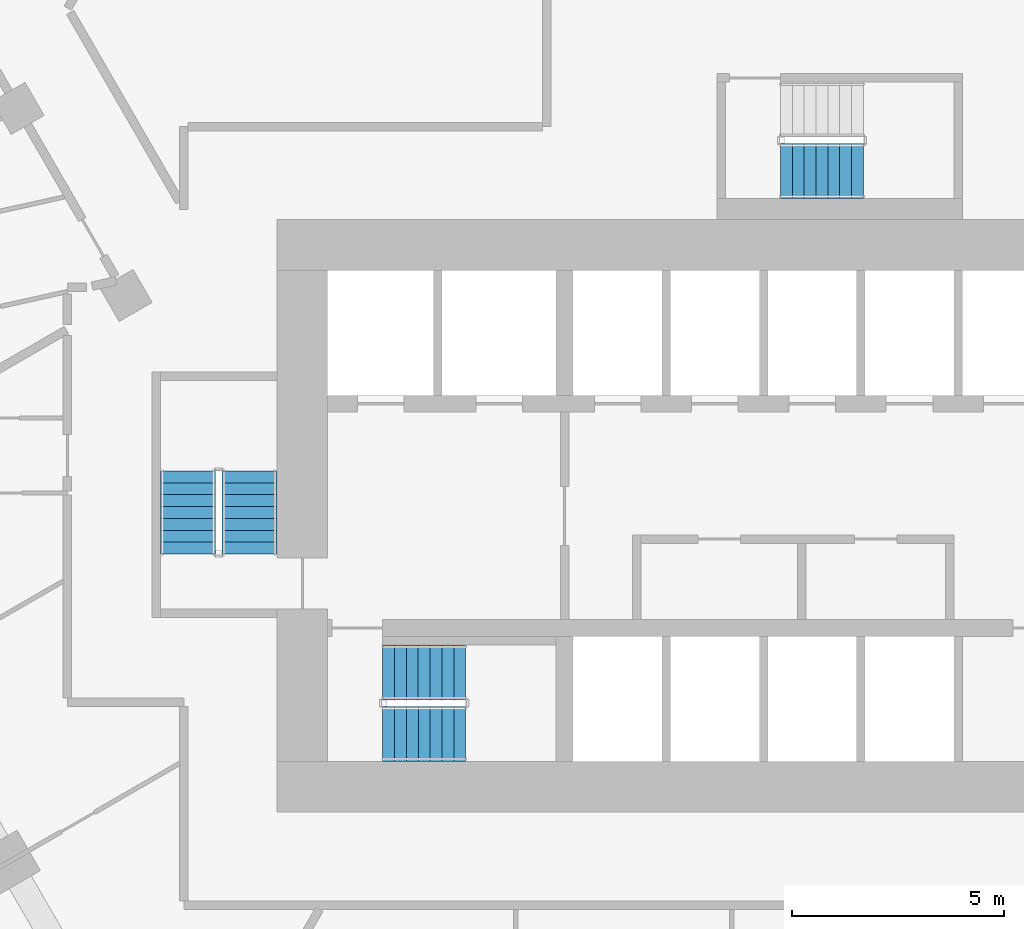
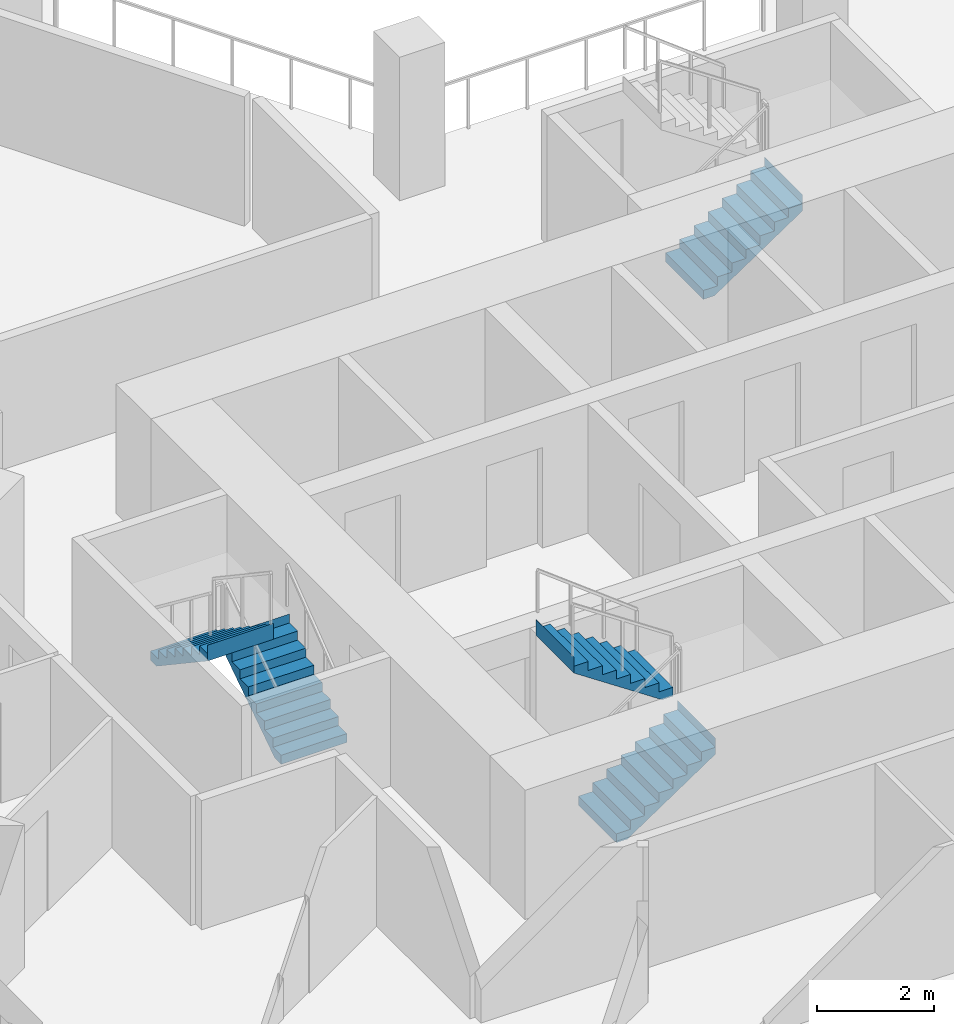
# One storey, part 11 of 16: 5 stair flights, 3 elements without a shape of their own.
"""IFC4 building model written with IfcOpenShell, lengths in metres."""

from ifc_helpers import new_model, si_unit, direction, frame, origin, place, context, subcontext, project, spatial, triangles, material, type_object, element, aggregate, save


model = new_model("IFC4")

# Units and contexts
model_context = context("Model", 3, precision=1e-05, world=origin(), true_north=direction((0.0, 1.0)))
body_context = subcontext(model_context, "Body", "Model", "MODEL_VIEW")
ifc_project = project(units=[si_unit("LENGTHUNIT", "METRE"), si_unit("AREAUNIT", "SQUARE_METRE"), si_unit("VOLUMEUNIT", "CUBIC_METRE"), si_unit("PLANEANGLEUNIT", "RADIAN"), si_unit("MASSUNIT", "GRAM", prefix="KILO")], contexts=[model_context])

# Site, building, storey
site_placement = place(None, origin())
site = spatial("IfcSite", under=ifc_project, at=site_placement, CompositionType="ELEMENT")
building_placement = place(site_placement, origin())
building = spatial("IfcBuilding", under=site, at=building_placement, Name="Beryl Residences", CompositionType="ELEMENT")
storey_placement = place(building_placement, frame((0.0, 0.0, 38.39990234375)))
storey = spatial("IfcBuildingStorey", under=building, at=storey_placement, Name="L11", CompositionType="ELEMENT", Elevation=38.39990234375)

# Stair, stair flights
ifc_material_1 = material(Name="Concrete C40/50", Category="concrete")
stair_type = type_object("IfcStairType", Name="ST1 protected exit stair, half-turn, 1300 mm flights", PredefinedType="HALF_TURN_STAIR", material=ifc_material_1)
stair_1_placement = place(storey_placement, origin())
stair_1 = element("IfcStair", 1, at=stair_1_placement, inside=storey, type_object=stair_type, Name="L11 PROTECTED EXIT STAIR ST-1", PredefinedType="HALF_TURN_STAIR")
ifc_material_2 = material(Name="Concrete C40/50", Category="concrete")
stair_flight_type = type_object("IfcStairFlightType", Name="SF1 stair flight 1300 mm", PredefinedType="STRAIGHT", material=ifc_material_2)
stair_flight_1_placement = place(storey_placement, frame((-10.800048828125, -17.14990234375, 0.0), z_axis=(0.0, 0.0, 1.0), x_axis=(1.0, 0.0, 0.0)))
stair_flight_1 = element("IfcStairFlight", 2, at=stair_flight_1_placement, type_object=stair_flight_type, Name="ST-1 flight 1", NumberOfRisers=8, NumberOfTreads=7, PredefinedType="STRAIGHT", RiserHeight=0.1875, TreadLength=0.28, context=body_context, shape_type="Tessellation", body=[
    triangles([(0.0, -0.64990234375, 0.0), (0.0, -0.324951171875, 0.0), (0.0, 0.0, 0.0), (0.0, 0.324951171875, 0.0), (0.0, 0.64990234375, 0.0), (0.0, -0.64990234375, 0.1875), (0.0, -0.324951171875, 0.1875), (0.0, 0.0, 0.1875), (0.0, 0.324951171875, 0.1875), (0.0, 0.64990234375, 0.1875), (0.280029296875, -0.64990234375, 0.1875), (0.280029296875, -0.324951171875, 0.1875), (0.280029296875, 0.0, 0.1875), (0.280029296875, 0.324951171875, 0.1875), (0.280029296875, 0.64990234375, 0.1875), (0.280029296875, -0.64990234375, 0.375), (0.280029296875, -0.324951171875, 0.375), (0.280029296875, 0.0, 0.375), (0.280029296875, 0.324951171875, 0.375), (0.280029296875, 0.64990234375, 0.375), (0.56005859375, -0.64990234375, 0.375), (0.56005859375, -0.324951171875, 0.375), (0.56005859375, 0.0, 0.375), (0.56005859375, 0.324951171875, 0.375), (0.56005859375, 0.64990234375, 0.375), (0.56005859375, -0.64990234375, 0.5625), (0.56005859375, -0.324951171875, 0.5625), (0.56005859375, 0.0, 0.5625), (0.56005859375, 0.324951171875, 0.5625), (0.56005859375, 0.64990234375, 0.5625), (0.840087890625, -0.64990234375, 0.5625), (0.840087890625, -0.324951171875, 0.5625), (0.840087890625, 0.0, 0.5625), (0.840087890625, 0.324951171875, 0.5625), (0.840087890625, 0.64990234375, 0.5625), (0.840087890625, -0.64990234375, 0.75), (0.840087890625, -0.324951171875, 0.75), (0.840087890625, 0.0, 0.75), (0.840087890625, 0.324951171875, 0.75), (0.840087890625, 0.64990234375, 0.75), (1.1201171875, -0.64990234375, 0.75), (1.1201171875, -0.324951171875, 0.75), (1.1201171875, 0.0, 0.75), (1.1201171875, 0.324951171875, 0.75), (1.1201171875, 0.64990234375, 0.75), (1.1201171875, -0.64990234375, 0.9375), (1.1201171875, -0.324951171875, 0.9375), (1.1201171875, 0.0, 0.9375), (1.1201171875, 0.324951171875, 0.9375), (1.1201171875, 0.64990234375, 0.9375), (1.39990234375, -0.64990234375, 0.9375), (1.39990234375, -0.324951171875, 0.9375), (1.39990234375, 0.0, 0.9375), (1.39990234375, 0.324951171875, 0.9375), (1.39990234375, 0.64990234375, 0.9375), (1.39990234375, -0.64990234375, 1.125), (1.39990234375, -0.324951171875, 1.125), (1.39990234375, 0.0, 1.125), (1.39990234375, 0.324951171875, 1.125), (1.39990234375, 0.64990234375, 1.125), (1.679931640625, -0.64990234375, 1.125), (1.679931640625, -0.324951171875, 1.125), (1.679931640625, 0.0, 1.125), (1.679931640625, 0.324951171875, 1.125), (1.679931640625, 0.64990234375, 1.125), (1.679931640625, -0.64990234375, 1.3125), (1.679931640625, -0.324951171875, 1.3125), (1.679931640625, 0.0, 1.3125), (1.679931640625, 0.324951171875, 1.3125), (1.679931640625, 0.64990234375, 1.3125), (1.9599609375, -0.64990234375, 1.3125), (1.9599609375, -0.324951171875, 1.3125), (1.9599609375, 0.0, 1.3125), (1.9599609375, 0.324951171875, 1.3125), (1.9599609375, 0.64990234375, 1.3125), (1.9599609375, -0.64990234375, 1.5), (1.9599609375, -0.324951171875, 1.5), (1.9599609375, 0.0, 1.5), (1.9599609375, 0.324951171875, 1.5), (1.9599609375, 0.64990234375, 1.5), (1.9609375, -0.64990234375, 1.5), (1.9609375, -0.324951171875, 1.5), (1.9609375, 0.0, 1.5), (1.9609375, 0.324951171875, 1.5), (1.9609375, 0.64990234375, 1.5), (1.9609375, -0.64990234375, 1.16796875), (1.9609375, -0.324951171875, 1.16796875), (1.9609375, 0.0, 1.16796875), (1.9609375, 0.324951171875, 1.16796875), (1.9609375, 0.64990234375, 1.16796875), (0.216796875, -0.64990234375, 0.0), (0.216796875, -0.324951171875, 0.0), (0.216796875, 0.0, 0.0), (0.216796875, 0.324951171875, 0.0), (0.216796875, 0.64990234375, 0.0)], [[1, 6, 7], [1, 7, 2], [2, 7, 8], [2, 8, 3], [3, 8, 9], [3, 9, 4], [4, 9, 10], [4, 10, 5], [6, 11, 12], [6, 12, 7], [7, 12, 13], [7, 13, 8], [8, 13, 14], [8, 14, 9], [9, 14, 15], [9, 15, 10], [11, 16, 17], [11, 17, 12], [12, 17, 18], [12, 18, 13], [13, 18, 19], [13, 19, 14], [14, 19, 20], [14, 20, 15], [16, 21, 22], [16, 22, 17], [17, 22, 23], [17, 23, 18], [18, 23, 24], [18, 24, 19], [19, 24, 25], [19, 25, 20], [21, 26, 27], [21, 27, 22], [22, 27, 28], [22, 28, 23], [23, 28, 29], [23, 29, 24], [24, 29, 30], [24, 30, 25], [26, 31, 32], [26, 32, 27], [27, 32, 33], [27, 33, 28], [28, 33, 34], [28, 34, 29], [29, 34, 35], [29, 35, 30], [31, 36, 37], [31, 37, 32], [32, 37, 38], [32, 38, 33], [33, 38, 39], [33, 39, 34], [34, 39, 40], [34, 40, 35], [36, 41, 42], [36, 42, 37], [37, 42, 43], [37, 43, 38], [38, 43, 44], [38, 44, 39], [39, 44, 45], [39, 45, 40], [41, 46, 47], [41, 47, 42], [42, 47, 48], [42, 48, 43], [43, 48, 49], [43, 49, 44], [44, 49, 50], [44, 50, 45], [46, 51, 52], [46, 52, 47], [47, 52, 53], [47, 53, 48], [48, 53, 54], [48, 54, 49], [49, 54, 55], [49, 55, 50], [51, 56, 57], [51, 57, 52], [52, 57, 58], [52, 58, 53], [53, 58, 59], [53, 59, 54], [54, 59, 60], [54, 60, 55], [56, 61, 62], [56, 62, 57], [57, 62, 63], [57, 63, 58], [58, 63, 64], [58, 64, 59], [59, 64, 65], [59, 65, 60], [61, 66, 67], [61, 67, 62], [62, 67, 68], [62, 68, 63], [63, 68, 69], [63, 69, 64], [64, 69, 70], [64, 70, 65], [66, 71, 72], [66, 72, 67], [67, 72, 73], [67, 73, 68], [68, 73, 74], [68, 74, 69], [69, 74, 75], [69, 75, 70], [71, 76, 77], [71, 77, 72], [72, 77, 78], [72, 78, 73], [73, 78, 79], [73, 79, 74], [74, 79, 80], [74, 80, 75], [76, 81, 82], [76, 82, 77], [77, 82, 83], [77, 83, 78], [78, 83, 84], [78, 84, 79], [79, 84, 85], [79, 85, 80], [81, 86, 87], [81, 87, 82], [82, 87, 88], [82, 88, 83], [83, 88, 89], [83, 89, 84], [84, 89, 90], [84, 90, 85], [86, 91, 92], [86, 92, 87], [87, 92, 93], [87, 93, 88], [88, 93, 94], [88, 94, 89], [89, 94, 95], [89, 95, 90], [91, 1, 2], [91, 2, 92], [92, 2, 3], [92, 3, 93], [93, 3, 4], [93, 4, 94], [94, 4, 5], [94, 5, 95], [1, 91, 86], [5, 90, 95], [86, 81, 76], [90, 80, 85], [86, 76, 71], [90, 75, 80], [86, 71, 66], [90, 70, 75], [86, 66, 61], [90, 65, 70], [61, 56, 51], [65, 55, 60], [86, 61, 51], [90, 55, 65], [51, 46, 41], [55, 45, 50], [86, 51, 41], [90, 45, 55], [41, 36, 31], [45, 35, 40], [86, 41, 31], [90, 35, 45], [31, 26, 21], [35, 25, 30], [86, 31, 21], [90, 25, 35], [21, 16, 11], [25, 15, 20], [86, 21, 11], [90, 15, 25], [1, 86, 11], [5, 15, 90], [11, 6, 1], [15, 5, 10]], closed=True),
])
stair_flight_2_placement = place(storey_placement, frame((-8.840087890625, -15.699951171875, 1.5), z_axis=(0.0, 0.0, 1.0), x_axis=(-1.0, 0.0, 0.0)))
stair_flight_2 = element("IfcStairFlight", 3, at=stair_flight_2_placement, type_object=stair_flight_type, Name="ST-1 flight 2", NumberOfRisers=8, NumberOfTreads=7, PredefinedType="STRAIGHT", RiserHeight=0.1875, TreadLength=0.28, context=body_context, shape_type="Tessellation", body=[
    triangles([(0.0, -0.64990234375, 0.0), (0.0, -0.324951171875, 0.0), (0.0, 0.0, 0.0), (0.0, 0.324951171875, 0.0), (0.0, 0.64990234375, 0.0), (0.0, -0.64990234375, 0.1875), (0.0, -0.324951171875, 0.1875), (0.0, 0.0, 0.1875), (0.0, 0.324951171875, 0.1875), (0.0, 0.64990234375, 0.1875), (0.280029296875, -0.64990234375, 0.1875), (0.280029296875, -0.324951171875, 0.1875), (0.280029296875, 0.0, 0.1875), (0.280029296875, 0.324951171875, 0.1875), (0.280029296875, 0.64990234375, 0.1875), (0.280029296875, -0.64990234375, 0.375), (0.280029296875, -0.324951171875, 0.375), (0.280029296875, 0.0, 0.375), (0.280029296875, 0.324951171875, 0.375), (0.280029296875, 0.64990234375, 0.375), (0.56005859375, -0.64990234375, 0.375), (0.56005859375, -0.324951171875, 0.375), (0.56005859375, 0.0, 0.375), (0.56005859375, 0.324951171875, 0.375), (0.56005859375, 0.64990234375, 0.375), (0.56005859375, -0.64990234375, 0.5625), (0.56005859375, -0.324951171875, 0.5625), (0.56005859375, 0.0, 0.5625), (0.56005859375, 0.324951171875, 0.5625), (0.56005859375, 0.64990234375, 0.5625), (0.840087890625, -0.64990234375, 0.5625), (0.840087890625, -0.324951171875, 0.5625), (0.840087890625, 0.0, 0.5625), (0.840087890625, 0.324951171875, 0.5625), (0.840087890625, 0.64990234375, 0.5625), (0.840087890625, -0.64990234375, 0.75), (0.840087890625, -0.324951171875, 0.75), (0.840087890625, 0.0, 0.75), (0.840087890625, 0.324951171875, 0.75), (0.840087890625, 0.64990234375, 0.75), (1.1201171875, -0.64990234375, 0.75), (1.1201171875, -0.324951171875, 0.75), (1.1201171875, 0.0, 0.75), (1.1201171875, 0.324951171875, 0.75), (1.1201171875, 0.64990234375, 0.75), (1.1201171875, -0.64990234375, 0.9375), (1.1201171875, -0.324951171875, 0.9375), (1.1201171875, 0.0, 0.9375), (1.1201171875, 0.324951171875, 0.9375), (1.1201171875, 0.64990234375, 0.9375), (1.39990234375, -0.64990234375, 0.9375), (1.39990234375, -0.324951171875, 0.9375), (1.39990234375, 0.0, 0.9375), (1.39990234375, 0.324951171875, 0.9375), (1.39990234375, 0.64990234375, 0.9375), (1.39990234375, -0.64990234375, 1.125), (1.39990234375, -0.324951171875, 1.125), (1.39990234375, 0.0, 1.125), (1.39990234375, 0.324951171875, 1.125), (1.39990234375, 0.64990234375, 1.125), (1.679931640625, -0.64990234375, 1.125), (1.679931640625, -0.324951171875, 1.125), (1.679931640625, 0.0, 1.125), (1.679931640625, 0.324951171875, 1.125), (1.679931640625, 0.64990234375, 1.125), (1.679931640625, -0.64990234375, 1.3125), (1.679931640625, -0.324951171875, 1.3125), (1.679931640625, 0.0, 1.3125), (1.679931640625, 0.324951171875, 1.3125), (1.679931640625, 0.64990234375, 1.3125), (1.9599609375, -0.64990234375, 1.3125), (1.9599609375, -0.324951171875, 1.3125), (1.9599609375, 0.0, 1.3125), (1.9599609375, 0.324951171875, 1.3125), (1.9599609375, 0.64990234375, 1.3125), (1.9599609375, -0.64990234375, 1.5), (1.9599609375, -0.324951171875, 1.5), (1.9599609375, 0.0, 1.5), (1.9599609375, 0.324951171875, 1.5), (1.9599609375, 0.64990234375, 1.5), (1.9609375, -0.64990234375, 1.5), (1.9609375, -0.324951171875, 1.5), (1.9609375, 0.0, 1.5), (1.9609375, 0.324951171875, 1.5), (1.9609375, 0.64990234375, 1.5), (1.9609375, -0.64990234375, 1.16796875), (1.9609375, -0.324951171875, 1.16796875), (1.9609375, 0.0, 1.16796875), (1.9609375, 0.324951171875, 1.16796875), (1.9609375, 0.64990234375, 1.16796875), (0.216796875, -0.64990234375, 0.0), (0.216796875, -0.324951171875, 0.0), (0.216796875, 0.0, 0.0), (0.216796875, 0.324951171875, 0.0), (0.216796875, 0.64990234375, 0.0)], [[1, 6, 7], [1, 7, 2], [2, 7, 8], [2, 8, 3], [3, 8, 9], [3, 9, 4], [4, 9, 10], [4, 10, 5], [6, 11, 12], [6, 12, 7], [7, 12, 13], [7, 13, 8], [8, 13, 14], [8, 14, 9], [9, 14, 15], [9, 15, 10], [11, 16, 17], [11, 17, 12], [12, 17, 18], [12, 18, 13], [13, 18, 19], [13, 19, 14], [14, 19, 20], [14, 20, 15], [16, 21, 22], [16, 22, 17], [17, 22, 23], [17, 23, 18], [18, 23, 24], [18, 24, 19], [19, 24, 25], [19, 25, 20], [21, 26, 27], [21, 27, 22], [22, 27, 28], [22, 28, 23], [23, 28, 29], [23, 29, 24], [24, 29, 30], [24, 30, 25], [26, 31, 32], [26, 32, 27], [27, 32, 33], [27, 33, 28], [28, 33, 34], [28, 34, 29], [29, 34, 35], [29, 35, 30], [31, 36, 37], [31, 37, 32], [32, 37, 38], [32, 38, 33], [33, 38, 39], [33, 39, 34], [34, 39, 40], [34, 40, 35], [36, 41, 42], [36, 42, 37], [37, 42, 43], [37, 43, 38], [38, 43, 44], [38, 44, 39], [39, 44, 45], [39, 45, 40], [41, 46, 47], [41, 47, 42], [42, 47, 48], [42, 48, 43], [43, 48, 49], [43, 49, 44], [44, 49, 50], [44, 50, 45], [46, 51, 52], [46, 52, 47], [47, 52, 53], [47, 53, 48], [48, 53, 54], [48, 54, 49], [49, 54, 55], [49, 55, 50], [51, 56, 57], [51, 57, 52], [52, 57, 58], [52, 58, 53], [53, 58, 59], [53, 59, 54], [54, 59, 60], [54, 60, 55], [56, 61, 62], [56, 62, 57], [57, 62, 63], [57, 63, 58], [58, 63, 64], [58, 64, 59], [59, 64, 65], [59, 65, 60], [61, 66, 67], [61, 67, 62], [62, 67, 68], [62, 68, 63], [63, 68, 69], [63, 69, 64], [64, 69, 70], [64, 70, 65], [66, 71, 72], [66, 72, 67], [67, 72, 73], [67, 73, 68], [68, 73, 74], [68, 74, 69], [69, 74, 75], [69, 75, 70], [71, 76, 77], [71, 77, 72], [72, 77, 78], [72, 78, 73], [73, 78, 79], [73, 79, 74], [74, 79, 80], [74, 80, 75], [76, 81, 82], [76, 82, 77], [77, 82, 83], [77, 83, 78], [78, 83, 84], [78, 84, 79], [79, 84, 85], [79, 85, 80], [81, 86, 87], [81, 87, 82], [82, 87, 88], [82, 88, 83], [83, 88, 89], [83, 89, 84], [84, 89, 90], [84, 90, 85], [86, 91, 92], [86, 92, 87], [87, 92, 93], [87, 93, 88], [88, 93, 94], [88, 94, 89], [89, 94, 95], [89, 95, 90], [91, 1, 2], [91, 2, 92], [92, 2, 3], [92, 3, 93], [93, 3, 4], [93, 4, 94], [94, 4, 5], [94, 5, 95], [1, 91, 86], [5, 90, 95], [86, 81, 76], [90, 80, 85], [86, 76, 71], [90, 75, 80], [86, 71, 66], [90, 70, 75], [86, 66, 61], [90, 65, 70], [61, 56, 51], [65, 55, 60], [86, 61, 51], [90, 55, 65], [51, 46, 41], [55, 45, 50], [86, 51, 41], [90, 45, 55], [41, 36, 31], [45, 35, 40], [86, 41, 31], [90, 35, 45], [31, 26, 21], [35, 25, 30], [86, 31, 21], [90, 25, 35], [21, 16, 11], [25, 15, 20], [86, 21, 11], [90, 15, 25], [1, 86, 11], [5, 15, 90], [11, 6, 1], [15, 5, 10]], closed=True),
])
aggregate(stair_1, [stair_flight_1, stair_flight_2])

stair_2_placement = place(storey_placement, origin())
stair_2 = element("IfcStair", 4, at=stair_2_placement, inside=storey, type_object=stair_type, Name="L11 PROTECTED EXIT STAIR ST-2", PredefinedType="HALF_TURN_STAIR")
stair_flight_3_placement = place(storey_placement, frame((-13.949951171875, -12.89990234375, 0.0), z_axis=(0.0, 0.0, 1.0), x_axis=(0.0, 1.0, 0.0)))
stair_flight_3 = element("IfcStairFlight", 5, at=stair_flight_3_placement, type_object=stair_flight_type, Name="ST-2 flight 1", NumberOfRisers=8, NumberOfTreads=7, PredefinedType="STRAIGHT", RiserHeight=0.1875, TreadLength=0.28, context=body_context, shape_type="Tessellation", body=[
    triangles([(0.0, -0.64990234375, 0.0), (0.0, -0.324951171875, 0.0), (0.0, 0.0, 0.0), (0.0, 0.324951171875, 0.0), (0.0, 0.64990234375, 0.0), (0.0, -0.64990234375, 0.1875), (0.0, -0.324951171875, 0.1875), (0.0, 0.0, 0.1875), (0.0, 0.324951171875, 0.1875), (0.0, 0.64990234375, 0.1875), (0.280029296875, -0.64990234375, 0.1875), (0.280029296875, -0.324951171875, 0.1875), (0.280029296875, 0.0, 0.1875), (0.280029296875, 0.324951171875, 0.1875), (0.280029296875, 0.64990234375, 0.1875), (0.280029296875, -0.64990234375, 0.375), (0.280029296875, -0.324951171875, 0.375), (0.280029296875, 0.0, 0.375), (0.280029296875, 0.324951171875, 0.375), (0.280029296875, 0.64990234375, 0.375), (0.56005859375, -0.64990234375, 0.375), (0.56005859375, -0.324951171875, 0.375), (0.56005859375, 0.0, 0.375), (0.56005859375, 0.324951171875, 0.375), (0.56005859375, 0.64990234375, 0.375), (0.56005859375, -0.64990234375, 0.5625), (0.56005859375, -0.324951171875, 0.5625), (0.56005859375, 0.0, 0.5625), (0.56005859375, 0.324951171875, 0.5625), (0.56005859375, 0.64990234375, 0.5625), (0.840087890625, -0.64990234375, 0.5625), (0.840087890625, -0.324951171875, 0.5625), (0.840087890625, 0.0, 0.5625), (0.840087890625, 0.324951171875, 0.5625), (0.840087890625, 0.64990234375, 0.5625), (0.840087890625, -0.64990234375, 0.75), (0.840087890625, -0.324951171875, 0.75), (0.840087890625, 0.0, 0.75), (0.840087890625, 0.324951171875, 0.75), (0.840087890625, 0.64990234375, 0.75), (1.1201171875, -0.64990234375, 0.75), (1.1201171875, -0.324951171875, 0.75), (1.1201171875, 0.0, 0.75), (1.1201171875, 0.324951171875, 0.75), (1.1201171875, 0.64990234375, 0.75), (1.1201171875, -0.64990234375, 0.9375), (1.1201171875, -0.324951171875, 0.9375), (1.1201171875, 0.0, 0.9375), (1.1201171875, 0.324951171875, 0.9375), (1.1201171875, 0.64990234375, 0.9375), (1.39990234375, -0.64990234375, 0.9375), (1.39990234375, -0.324951171875, 0.9375), (1.39990234375, 0.0, 0.9375), (1.39990234375, 0.324951171875, 0.9375), (1.39990234375, 0.64990234375, 0.9375), (1.39990234375, -0.64990234375, 1.125), (1.39990234375, -0.324951171875, 1.125), (1.39990234375, 0.0, 1.125), (1.39990234375, 0.324951171875, 1.125), (1.39990234375, 0.64990234375, 1.125), (1.679931640625, -0.64990234375, 1.125), (1.679931640625, -0.324951171875, 1.125), (1.679931640625, 0.0, 1.125), (1.679931640625, 0.324951171875, 1.125), (1.679931640625, 0.64990234375, 1.125), (1.679931640625, -0.64990234375, 1.3125), (1.679931640625, -0.324951171875, 1.3125), (1.679931640625, 0.0, 1.3125), (1.679931640625, 0.324951171875, 1.3125), (1.679931640625, 0.64990234375, 1.3125), (1.9599609375, -0.64990234375, 1.3125), (1.9599609375, -0.324951171875, 1.3125), (1.9599609375, 0.0, 1.3125), (1.9599609375, 0.324951171875, 1.3125), (1.9599609375, 0.64990234375, 1.3125), (1.9599609375, -0.64990234375, 1.5), (1.9599609375, -0.324951171875, 1.5), (1.9599609375, 0.0, 1.5), (1.9599609375, 0.324951171875, 1.5), (1.9599609375, 0.64990234375, 1.5), (1.9609375, -0.64990234375, 1.5), (1.9609375, -0.324951171875, 1.5), (1.9609375, 0.0, 1.5), (1.9609375, 0.324951171875, 1.5), (1.9609375, 0.64990234375, 1.5), (1.9609375, -0.64990234375, 1.16796875), (1.9609375, -0.324951171875, 1.16796875), (1.9609375, 0.0, 1.16796875), (1.9609375, 0.324951171875, 1.16796875), (1.9609375, 0.64990234375, 1.16796875), (0.216796875, -0.64990234375, 0.0), (0.216796875, -0.324951171875, 0.0), (0.216796875, 0.0, 0.0), (0.216796875, 0.324951171875, 0.0), (0.216796875, 0.64990234375, 0.0)], [[1, 6, 7], [1, 7, 2], [2, 7, 8], [2, 8, 3], [3, 8, 9], [3, 9, 4], [4, 9, 10], [4, 10, 5], [6, 11, 12], [6, 12, 7], [7, 12, 13], [7, 13, 8], [8, 13, 14], [8, 14, 9], [9, 14, 15], [9, 15, 10], [11, 16, 17], [11, 17, 12], [12, 17, 18], [12, 18, 13], [13, 18, 19], [13, 19, 14], [14, 19, 20], [14, 20, 15], [16, 21, 22], [16, 22, 17], [17, 22, 23], [17, 23, 18], [18, 23, 24], [18, 24, 19], [19, 24, 25], [19, 25, 20], [21, 26, 27], [21, 27, 22], [22, 27, 28], [22, 28, 23], [23, 28, 29], [23, 29, 24], [24, 29, 30], [24, 30, 25], [26, 31, 32], [26, 32, 27], [27, 32, 33], [27, 33, 28], [28, 33, 34], [28, 34, 29], [29, 34, 35], [29, 35, 30], [31, 36, 37], [31, 37, 32], [32, 37, 38], [32, 38, 33], [33, 38, 39], [33, 39, 34], [34, 39, 40], [34, 40, 35], [36, 41, 42], [36, 42, 37], [37, 42, 43], [37, 43, 38], [38, 43, 44], [38, 44, 39], [39, 44, 45], [39, 45, 40], [41, 46, 47], [41, 47, 42], [42, 47, 48], [42, 48, 43], [43, 48, 49], [43, 49, 44], [44, 49, 50], [44, 50, 45], [46, 51, 52], [46, 52, 47], [47, 52, 53], [47, 53, 48], [48, 53, 54], [48, 54, 49], [49, 54, 55], [49, 55, 50], [51, 56, 57], [51, 57, 52], [52, 57, 58], [52, 58, 53], [53, 58, 59], [53, 59, 54], [54, 59, 60], [54, 60, 55], [56, 61, 62], [56, 62, 57], [57, 62, 63], [57, 63, 58], [58, 63, 64], [58, 64, 59], [59, 64, 65], [59, 65, 60], [61, 66, 67], [61, 67, 62], [62, 67, 68], [62, 68, 63], [63, 68, 69], [63, 69, 64], [64, 69, 70], [64, 70, 65], [66, 71, 72], [66, 72, 67], [67, 72, 73], [67, 73, 68], [68, 73, 74], [68, 74, 69], [69, 74, 75], [69, 75, 70], [71, 76, 77], [71, 77, 72], [72, 77, 78], [72, 78, 73], [73, 78, 79], [73, 79, 74], [74, 79, 80], [74, 80, 75], [76, 81, 82], [76, 82, 77], [77, 82, 83], [77, 83, 78], [78, 83, 84], [78, 84, 79], [79, 84, 85], [79, 85, 80], [81, 86, 87], [81, 87, 82], [82, 87, 88], [82, 88, 83], [83, 88, 89], [83, 89, 84], [84, 89, 90], [84, 90, 85], [86, 91, 92], [86, 92, 87], [87, 92, 93], [87, 93, 88], [88, 93, 94], [88, 94, 89], [89, 94, 95], [89, 95, 90], [91, 1, 2], [91, 2, 92], [92, 2, 3], [92, 3, 93], [93, 3, 4], [93, 4, 94], [94, 4, 5], [94, 5, 95], [1, 91, 86], [5, 90, 95], [86, 81, 76], [90, 80, 85], [86, 76, 71], [90, 75, 80], [86, 71, 66], [90, 70, 75], [86, 66, 61], [90, 65, 70], [61, 56, 51], [65, 55, 60], [86, 61, 51], [90, 55, 65], [51, 46, 41], [55, 45, 50], [86, 51, 41], [90, 45, 55], [41, 36, 31], [45, 35, 40], [86, 41, 31], [90, 35, 45], [31, 26, 21], [35, 25, 30], [86, 31, 21], [90, 25, 35], [21, 16, 11], [25, 15, 20], [86, 21, 11], [90, 15, 25], [1, 86, 11], [5, 15, 90], [11, 6, 1], [15, 5, 10]], closed=True),
])
stair_flight_4_placement = place(storey_placement, frame((-15.39990234375, -10.93994140625, 1.5), z_axis=(0.0, 0.0, 1.0), x_axis=(0.0, -1.0, 0.0)))
stair_flight_4 = element("IfcStairFlight", 6, at=stair_flight_4_placement, type_object=stair_flight_type, Name="ST-2 flight 2", NumberOfRisers=8, NumberOfTreads=7, PredefinedType="STRAIGHT", RiserHeight=0.1875, TreadLength=0.28, context=body_context, shape_type="Tessellation", body=[
    triangles([(0.0, -0.64990234375, 0.0), (0.0, -0.324951171875, 0.0), (0.0, 0.0, 0.0), (0.0, 0.324951171875, 0.0), (0.0, 0.64990234375, 0.0), (0.0, -0.64990234375, 0.1875), (0.0, -0.324951171875, 0.1875), (0.0, 0.0, 0.1875), (0.0, 0.324951171875, 0.1875), (0.0, 0.64990234375, 0.1875), (0.280029296875, -0.64990234375, 0.1875), (0.280029296875, -0.324951171875, 0.1875), (0.280029296875, 0.0, 0.1875), (0.280029296875, 0.324951171875, 0.1875), (0.280029296875, 0.64990234375, 0.1875), (0.280029296875, -0.64990234375, 0.375), (0.280029296875, -0.324951171875, 0.375), (0.280029296875, 0.0, 0.375), (0.280029296875, 0.324951171875, 0.375), (0.280029296875, 0.64990234375, 0.375), (0.56005859375, -0.64990234375, 0.375), (0.56005859375, -0.324951171875, 0.375), (0.56005859375, 0.0, 0.375), (0.56005859375, 0.324951171875, 0.375), (0.56005859375, 0.64990234375, 0.375), (0.56005859375, -0.64990234375, 0.5625), (0.56005859375, -0.324951171875, 0.5625), (0.56005859375, 0.0, 0.5625), (0.56005859375, 0.324951171875, 0.5625), (0.56005859375, 0.64990234375, 0.5625), (0.840087890625, -0.64990234375, 0.5625), (0.840087890625, -0.324951171875, 0.5625), (0.840087890625, 0.0, 0.5625), (0.840087890625, 0.324951171875, 0.5625), (0.840087890625, 0.64990234375, 0.5625), (0.840087890625, -0.64990234375, 0.75), (0.840087890625, -0.324951171875, 0.75), (0.840087890625, 0.0, 0.75), (0.840087890625, 0.324951171875, 0.75), (0.840087890625, 0.64990234375, 0.75), (1.1201171875, -0.64990234375, 0.75), (1.1201171875, -0.324951171875, 0.75), (1.1201171875, 0.0, 0.75), (1.1201171875, 0.324951171875, 0.75), (1.1201171875, 0.64990234375, 0.75), (1.1201171875, -0.64990234375, 0.9375), (1.1201171875, -0.324951171875, 0.9375), (1.1201171875, 0.0, 0.9375), (1.1201171875, 0.324951171875, 0.9375), (1.1201171875, 0.64990234375, 0.9375), (1.39990234375, -0.64990234375, 0.9375), (1.39990234375, -0.324951171875, 0.9375), (1.39990234375, 0.0, 0.9375), (1.39990234375, 0.324951171875, 0.9375), (1.39990234375, 0.64990234375, 0.9375), (1.39990234375, -0.64990234375, 1.125), (1.39990234375, -0.324951171875, 1.125), (1.39990234375, 0.0, 1.125), (1.39990234375, 0.324951171875, 1.125), (1.39990234375, 0.64990234375, 1.125), (1.679931640625, -0.64990234375, 1.125), (1.679931640625, -0.324951171875, 1.125), (1.679931640625, 0.0, 1.125), (1.679931640625, 0.324951171875, 1.125), (1.679931640625, 0.64990234375, 1.125), (1.679931640625, -0.64990234375, 1.3125), (1.679931640625, -0.324951171875, 1.3125), (1.679931640625, 0.0, 1.3125), (1.679931640625, 0.324951171875, 1.3125), (1.679931640625, 0.64990234375, 1.3125), (1.9599609375, -0.64990234375, 1.3125), (1.9599609375, -0.324951171875, 1.3125), (1.9599609375, 0.0, 1.3125), (1.9599609375, 0.324951171875, 1.3125), (1.9599609375, 0.64990234375, 1.3125), (1.9599609375, -0.64990234375, 1.5), (1.9599609375, -0.324951171875, 1.5), (1.9599609375, 0.0, 1.5), (1.9599609375, 0.324951171875, 1.5), (1.9599609375, 0.64990234375, 1.5), (1.9609375, -0.64990234375, 1.5), (1.9609375, -0.324951171875, 1.5), (1.9609375, 0.0, 1.5), (1.9609375, 0.324951171875, 1.5), (1.9609375, 0.64990234375, 1.5), (1.9609375, -0.64990234375, 1.16796875), (1.9609375, -0.324951171875, 1.16796875), (1.9609375, 0.0, 1.16796875), (1.9609375, 0.324951171875, 1.16796875), (1.9609375, 0.64990234375, 1.16796875), (0.216796875, -0.64990234375, 0.0), (0.216796875, -0.324951171875, 0.0), (0.216796875, 0.0, 0.0), (0.216796875, 0.324951171875, 0.0), (0.216796875, 0.64990234375, 0.0)], [[1, 6, 7], [1, 7, 2], [2, 7, 8], [2, 8, 3], [3, 8, 9], [3, 9, 4], [4, 9, 10], [4, 10, 5], [6, 11, 12], [6, 12, 7], [7, 12, 13], [7, 13, 8], [8, 13, 14], [8, 14, 9], [9, 14, 15], [9, 15, 10], [11, 16, 17], [11, 17, 12], [12, 17, 18], [12, 18, 13], [13, 18, 19], [13, 19, 14], [14, 19, 20], [14, 20, 15], [16, 21, 22], [16, 22, 17], [17, 22, 23], [17, 23, 18], [18, 23, 24], [18, 24, 19], [19, 24, 25], [19, 25, 20], [21, 26, 27], [21, 27, 22], [22, 27, 28], [22, 28, 23], [23, 28, 29], [23, 29, 24], [24, 29, 30], [24, 30, 25], [26, 31, 32], [26, 32, 27], [27, 32, 33], [27, 33, 28], [28, 33, 34], [28, 34, 29], [29, 34, 35], [29, 35, 30], [31, 36, 37], [31, 37, 32], [32, 37, 38], [32, 38, 33], [33, 38, 39], [33, 39, 34], [34, 39, 40], [34, 40, 35], [36, 41, 42], [36, 42, 37], [37, 42, 43], [37, 43, 38], [38, 43, 44], [38, 44, 39], [39, 44, 45], [39, 45, 40], [41, 46, 47], [41, 47, 42], [42, 47, 48], [42, 48, 43], [43, 48, 49], [43, 49, 44], [44, 49, 50], [44, 50, 45], [46, 51, 52], [46, 52, 47], [47, 52, 53], [47, 53, 48], [48, 53, 54], [48, 54, 49], [49, 54, 55], [49, 55, 50], [51, 56, 57], [51, 57, 52], [52, 57, 58], [52, 58, 53], [53, 58, 59], [53, 59, 54], [54, 59, 60], [54, 60, 55], [56, 61, 62], [56, 62, 57], [57, 62, 63], [57, 63, 58], [58, 63, 64], [58, 64, 59], [59, 64, 65], [59, 65, 60], [61, 66, 67], [61, 67, 62], [62, 67, 68], [62, 68, 63], [63, 68, 69], [63, 69, 64], [64, 69, 70], [64, 70, 65], [66, 71, 72], [66, 72, 67], [67, 72, 73], [67, 73, 68], [68, 73, 74], [68, 74, 69], [69, 74, 75], [69, 75, 70], [71, 76, 77], [71, 77, 72], [72, 77, 78], [72, 78, 73], [73, 78, 79], [73, 79, 74], [74, 79, 80], [74, 80, 75], [76, 81, 82], [76, 82, 77], [77, 82, 83], [77, 83, 78], [78, 83, 84], [78, 84, 79], [79, 84, 85], [79, 85, 80], [81, 86, 87], [81, 87, 82], [82, 87, 88], [82, 88, 83], [83, 88, 89], [83, 89, 84], [84, 89, 90], [84, 90, 85], [86, 91, 92], [86, 92, 87], [87, 92, 93], [87, 93, 88], [88, 93, 94], [88, 94, 89], [89, 94, 95], [89, 95, 90], [91, 1, 2], [91, 2, 92], [92, 2, 3], [92, 3, 93], [93, 3, 4], [93, 4, 94], [94, 4, 5], [94, 5, 95], [1, 91, 86], [5, 90, 95], [86, 81, 76], [90, 80, 85], [86, 76, 71], [90, 75, 80], [86, 71, 66], [90, 70, 75], [86, 66, 61], [90, 65, 70], [61, 56, 51], [65, 55, 60], [86, 61, 51], [90, 55, 65], [51, 46, 41], [55, 45, 50], [86, 51, 41], [90, 45, 55], [41, 36, 31], [45, 35, 40], [86, 41, 31], [90, 35, 45], [31, 26, 21], [35, 25, 30], [86, 31, 21], [90, 25, 35], [21, 16, 11], [25, 15, 20], [86, 21, 11], [90, 15, 25], [1, 86, 11], [5, 15, 90], [11, 6, 1], [15, 5, 10]], closed=True),
])
aggregate(stair_2, [stair_flight_3, stair_flight_4])

# Stair, stair flight
stair_3_placement = place(storey_placement, origin())
stair_3 = element("IfcStair", 7, at=stair_3_placement, inside=storey, type_object=stair_type, Name="L11 PROTECTED EXIT STAIR ST-4", PredefinedType="HALF_TURN_STAIR")
stair_flight_5_placement = place(storey_placement, frame((-1.39990234375, -3.85009765625, 0.0), z_axis=(0.0, 0.0, 1.0), x_axis=(1.0, 0.0, 0.0)))
stair_flight_5 = element("IfcStairFlight", 8, at=stair_flight_5_placement, type_object=stair_flight_type, Name="ST-4 flight 1", NumberOfRisers=8, NumberOfTreads=7, PredefinedType="STRAIGHT", RiserHeight=0.1875, TreadLength=0.28, context=body_context, shape_type="Tessellation", body=[
    triangles([(0.0, -0.64990234375, 0.0), (0.0, -0.324951171875, 0.0), (0.0, 0.0, 0.0), (0.0, 0.324951171875, 0.0), (0.0, 0.64990234375, 0.0), (0.0, -0.64990234375, 0.1875), (0.0, -0.324951171875, 0.1875), (0.0, 0.0, 0.1875), (0.0, 0.324951171875, 0.1875), (0.0, 0.64990234375, 0.1875), (0.280029296875, -0.64990234375, 0.1875), (0.280029296875, -0.324951171875, 0.1875), (0.280029296875, 0.0, 0.1875), (0.280029296875, 0.324951171875, 0.1875), (0.280029296875, 0.64990234375, 0.1875), (0.280029296875, -0.64990234375, 0.375), (0.280029296875, -0.324951171875, 0.375), (0.280029296875, 0.0, 0.375), (0.280029296875, 0.324951171875, 0.375), (0.280029296875, 0.64990234375, 0.375), (0.56005859375, -0.64990234375, 0.375), (0.56005859375, -0.324951171875, 0.375), (0.56005859375, 0.0, 0.375), (0.56005859375, 0.324951171875, 0.375), (0.56005859375, 0.64990234375, 0.375), (0.56005859375, -0.64990234375, 0.5625), (0.56005859375, -0.324951171875, 0.5625), (0.56005859375, 0.0, 0.5625), (0.56005859375, 0.324951171875, 0.5625), (0.56005859375, 0.64990234375, 0.5625), (0.840087890625, -0.64990234375, 0.5625), (0.840087890625, -0.324951171875, 0.5625), (0.840087890625, 0.0, 0.5625), (0.840087890625, 0.324951171875, 0.5625), (0.840087890625, 0.64990234375, 0.5625), (0.840087890625, -0.64990234375, 0.75), (0.840087890625, -0.324951171875, 0.75), (0.840087890625, 0.0, 0.75), (0.840087890625, 0.324951171875, 0.75), (0.840087890625, 0.64990234375, 0.75), (1.1201171875, -0.64990234375, 0.75), (1.1201171875, -0.324951171875, 0.75), (1.1201171875, 0.0, 0.75), (1.1201171875, 0.324951171875, 0.75), (1.1201171875, 0.64990234375, 0.75), (1.1201171875, -0.64990234375, 0.9375), (1.1201171875, -0.324951171875, 0.9375), (1.1201171875, 0.0, 0.9375), (1.1201171875, 0.324951171875, 0.9375), (1.1201171875, 0.64990234375, 0.9375), (1.39990234375, -0.64990234375, 0.9375), (1.39990234375, -0.324951171875, 0.9375), (1.39990234375, 0.0, 0.9375), (1.39990234375, 0.324951171875, 0.9375), (1.39990234375, 0.64990234375, 0.9375), (1.39990234375, -0.64990234375, 1.125), (1.39990234375, -0.324951171875, 1.125), (1.39990234375, 0.0, 1.125), (1.39990234375, 0.324951171875, 1.125), (1.39990234375, 0.64990234375, 1.125), (1.679931640625, -0.64990234375, 1.125), (1.679931640625, -0.324951171875, 1.125), (1.679931640625, 0.0, 1.125), (1.679931640625, 0.324951171875, 1.125), (1.679931640625, 0.64990234375, 1.125), (1.679931640625, -0.64990234375, 1.3125), (1.679931640625, -0.324951171875, 1.3125), (1.679931640625, 0.0, 1.3125), (1.679931640625, 0.324951171875, 1.3125), (1.679931640625, 0.64990234375, 1.3125), (1.9599609375, -0.64990234375, 1.3125), (1.9599609375, -0.324951171875, 1.3125), (1.9599609375, 0.0, 1.3125), (1.9599609375, 0.324951171875, 1.3125), (1.9599609375, 0.64990234375, 1.3125), (1.9599609375, -0.64990234375, 1.5), (1.9599609375, -0.324951171875, 1.5), (1.9599609375, 0.0, 1.5), (1.9599609375, 0.324951171875, 1.5), (1.9599609375, 0.64990234375, 1.5), (1.9609375, -0.64990234375, 1.5), (1.9609375, -0.324951171875, 1.5), (1.9609375, 0.0, 1.5), (1.9609375, 0.324951171875, 1.5), (1.9609375, 0.64990234375, 1.5), (1.9609375, -0.64990234375, 1.16796875), (1.9609375, -0.324951171875, 1.16796875), (1.9609375, 0.0, 1.16796875), (1.9609375, 0.324951171875, 1.16796875), (1.9609375, 0.64990234375, 1.16796875), (0.216796875, -0.64990234375, 0.0), (0.216796875, -0.324951171875, 0.0), (0.216796875, 0.0, 0.0), (0.216796875, 0.324951171875, 0.0), (0.216796875, 0.64990234375, 0.0)], [[1, 6, 7], [1, 7, 2], [2, 7, 8], [2, 8, 3], [3, 8, 9], [3, 9, 4], [4, 9, 10], [4, 10, 5], [6, 11, 12], [6, 12, 7], [7, 12, 13], [7, 13, 8], [8, 13, 14], [8, 14, 9], [9, 14, 15], [9, 15, 10], [11, 16, 17], [11, 17, 12], [12, 17, 18], [12, 18, 13], [13, 18, 19], [13, 19, 14], [14, 19, 20], [14, 20, 15], [16, 21, 22], [16, 22, 17], [17, 22, 23], [17, 23, 18], [18, 23, 24], [18, 24, 19], [19, 24, 25], [19, 25, 20], [21, 26, 27], [21, 27, 22], [22, 27, 28], [22, 28, 23], [23, 28, 29], [23, 29, 24], [24, 29, 30], [24, 30, 25], [26, 31, 32], [26, 32, 27], [27, 32, 33], [27, 33, 28], [28, 33, 34], [28, 34, 29], [29, 34, 35], [29, 35, 30], [31, 36, 37], [31, 37, 32], [32, 37, 38], [32, 38, 33], [33, 38, 39], [33, 39, 34], [34, 39, 40], [34, 40, 35], [36, 41, 42], [36, 42, 37], [37, 42, 43], [37, 43, 38], [38, 43, 44], [38, 44, 39], [39, 44, 45], [39, 45, 40], [41, 46, 47], [41, 47, 42], [42, 47, 48], [42, 48, 43], [43, 48, 49], [43, 49, 44], [44, 49, 50], [44, 50, 45], [46, 51, 52], [46, 52, 47], [47, 52, 53], [47, 53, 48], [48, 53, 54], [48, 54, 49], [49, 54, 55], [49, 55, 50], [51, 56, 57], [51, 57, 52], [52, 57, 58], [52, 58, 53], [53, 58, 59], [53, 59, 54], [54, 59, 60], [54, 60, 55], [56, 61, 62], [56, 62, 57], [57, 62, 63], [57, 63, 58], [58, 63, 64], [58, 64, 59], [59, 64, 65], [59, 65, 60], [61, 66, 67], [61, 67, 62], [62, 67, 68], [62, 68, 63], [63, 68, 69], [63, 69, 64], [64, 69, 70], [64, 70, 65], [66, 71, 72], [66, 72, 67], [67, 72, 73], [67, 73, 68], [68, 73, 74], [68, 74, 69], [69, 74, 75], [69, 75, 70], [71, 76, 77], [71, 77, 72], [72, 77, 78], [72, 78, 73], [73, 78, 79], [73, 79, 74], [74, 79, 80], [74, 80, 75], [76, 81, 82], [76, 82, 77], [77, 82, 83], [77, 83, 78], [78, 83, 84], [78, 84, 79], [79, 84, 85], [79, 85, 80], [81, 86, 87], [81, 87, 82], [82, 87, 88], [82, 88, 83], [83, 88, 89], [83, 89, 84], [84, 89, 90], [84, 90, 85], [86, 91, 92], [86, 92, 87], [87, 92, 93], [87, 93, 88], [88, 93, 94], [88, 94, 89], [89, 94, 95], [89, 95, 90], [91, 1, 2], [91, 2, 92], [92, 2, 3], [92, 3, 93], [93, 3, 4], [93, 4, 94], [94, 4, 5], [94, 5, 95], [1, 91, 86], [5, 90, 95], [86, 81, 76], [90, 80, 85], [86, 76, 71], [90, 75, 80], [86, 71, 66], [90, 70, 75], [86, 66, 61], [90, 65, 70], [61, 56, 51], [65, 55, 60], [86, 61, 51], [90, 55, 65], [51, 46, 41], [55, 45, 50], [86, 51, 41], [90, 45, 55], [41, 36, 31], [45, 35, 40], [86, 41, 31], [90, 35, 45], [31, 26, 21], [35, 25, 30], [86, 31, 21], [90, 25, 35], [21, 16, 11], [25, 15, 20], [86, 21, 11], [90, 15, 25], [1, 86, 11], [5, 15, 90], [11, 6, 1], [15, 5, 10]], closed=True),
])
aggregate(stair_3, [stair_flight_5])

save(model, "model.ifc")
